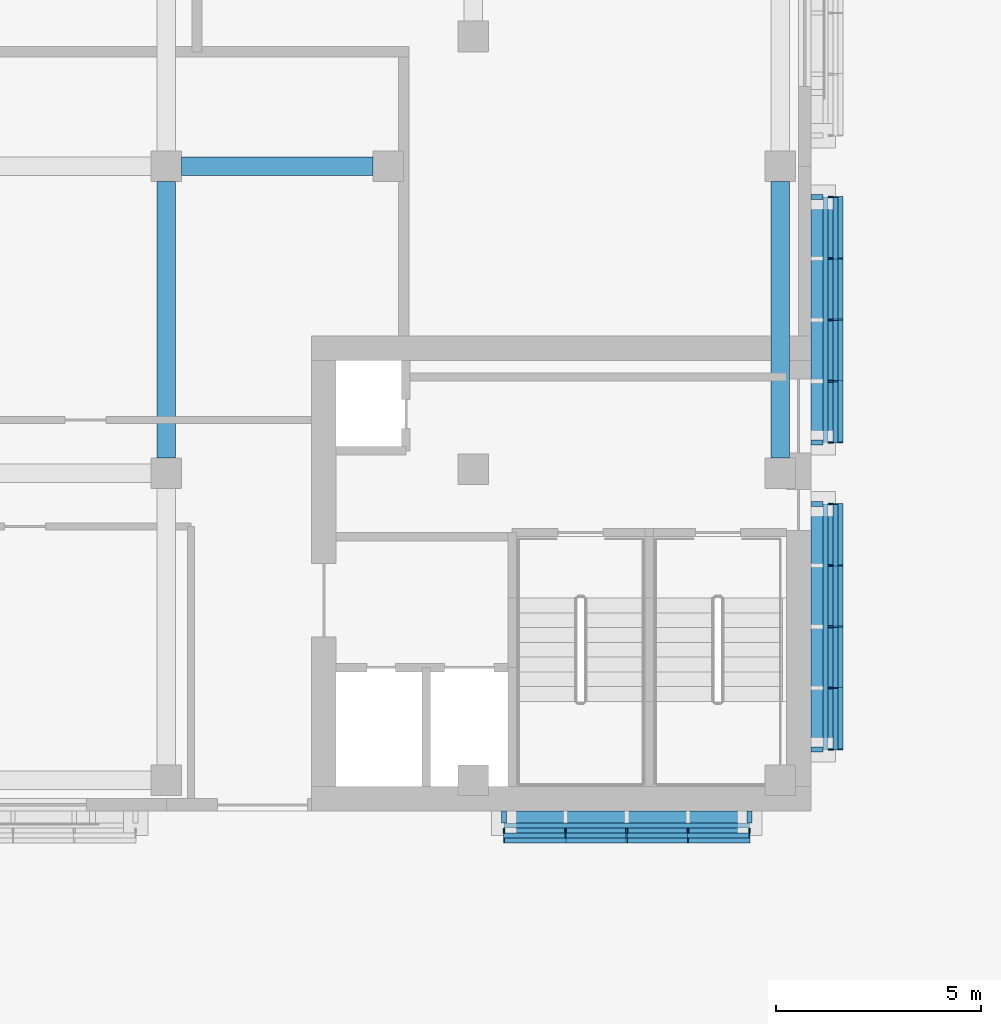
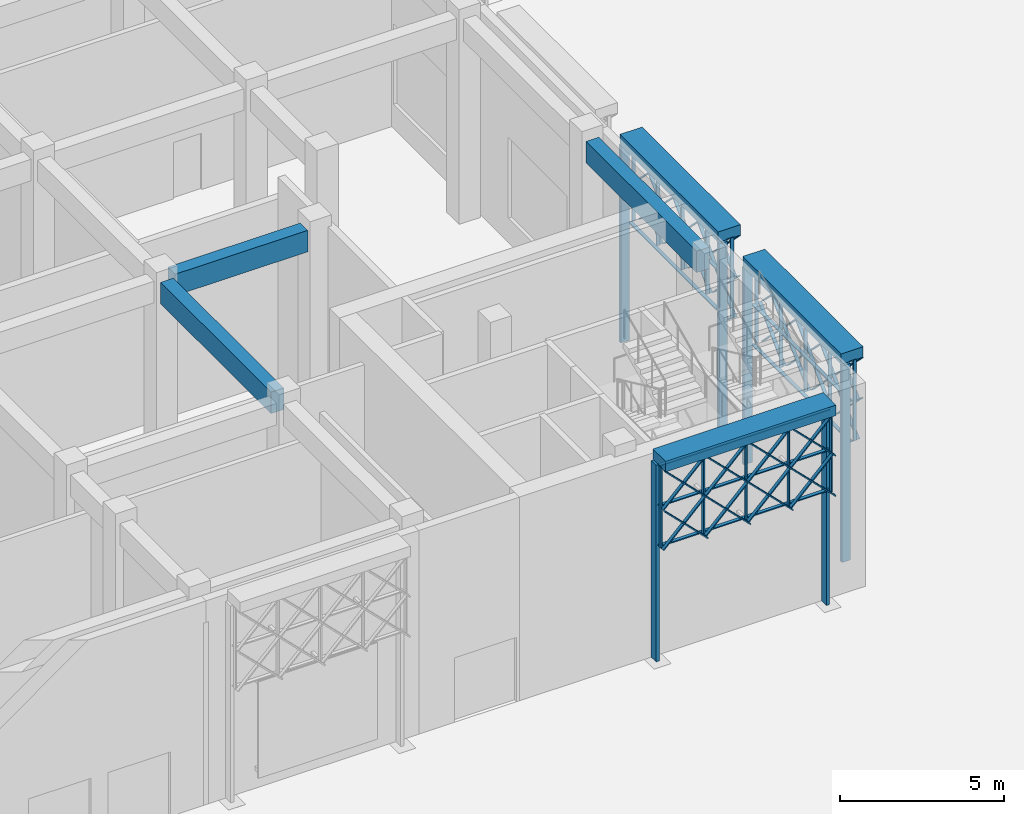
# One storey, part 5 of 64: 60 members, 6 beams.
"""IFC4 building model written with IfcOpenShell, lengths in metres."""

import ifcopenshell
import ifcopenshell.guid

model = None  # the IFC model being written
_history = None  # IfcOwnerHistory: only IFC2X3 demands one
_inside = {}  # id of a spatial element -> (the spatial element, [elements in it])
_under = {}  # id of a project, library or spatial element -> (it, [spatial elements below it])
_declared = {}  # id of a project -> (the project, [libraries it declares])
_typed = {}  # id of a type object -> (the type object, [elements of that type])
_made_of = {}  # id of a material, layer set ... -> (it, [elements and type objects made of it])


def new_model(schema):
    """Start an empty IFC model of exactly this schema.

    Asked for "IFC4X3", IfcOpenShell would pick the latest addendum, in which some entities
    have other attributes; the version numbers below select the first issue.
    IFC2X3 requires an IfcOwnerHistory on every rooted entity: one is made here for all.
    """
    global model, _history
    if schema == "IFC4X3":
        model = ifcopenshell.file(schema_version=(4, 3, 0, 0))
    else:
        model = ifcopenshell.file(schema=schema)
    _inside.clear()
    _under.clear()
    _declared.clear()
    _typed.clear()
    _made_of.clear()
    _history = None
    if model.schema == "IFC2X3":
        org = make("IfcOrganization", Name="unknown")
        user = make(
            "IfcPersonAndOrganization",
            ThePerson=make("IfcPerson", FamilyName="unknown"),
            TheOrganization=org,
        )
        app = make(
            "IfcApplication",
            ApplicationDeveloper=org,
            Version="unknown",
            ApplicationFullName="unknown",
            ApplicationIdentifier="unknown",
        )
        _history = make(
            "IfcOwnerHistory",
            OwningUser=user,
            OwningApplication=app,
            ChangeAction="ADDED",
            CreationDate=0,
        )
    return model


def make(cls, **values):
    """One entity of the class cls with the attributes given. An attribute that is None is left unset."""
    return model.create_entity(
        cls, **{name: value for name, value in values.items() if value is not None}
    )


def rooted(cls, **values):
    """An entity with a GlobalId (a new one), such as an element, a storey or a relation."""
    return make(cls, GlobalId=ifcopenshell.guid.new(), OwnerHistory=_history, **values)


def si_unit(unit_type, name, prefix=None):
    """IfcSIUnit, for example si_unit("LENGTHUNIT", "METRE", prefix="MILLI")."""
    return make("IfcSIUnit", UnitType=unit_type, Prefix=prefix, Name=name)


def assignment(units):
    """IfcUnitAssignment: the units of a project."""
    return None if units is None else make("IfcUnitAssignment", Units=units)


def point(xyz):
    """IfcCartesianPoint."""
    return None if xyz is None else make("IfcCartesianPoint", Coordinates=xyz)


def direction(xyz):
    """IfcDirection."""
    return None if xyz is None else make("IfcDirection", DirectionRatios=xyz)


def frame(location, z_axis=None, x_axis=None):
    """IfcAxis2Placement3D, a coordinate frame: its origin and axes. An axis left out is left unset."""
    return make(
        "IfcAxis2Placement3D",
        Location=point(location),
        Axis=direction(z_axis),
        RefDirection=direction(x_axis),
    )


def frame_2d(location, x_axis=None):
    """IfcAxis2Placement2D, a coordinate frame in the plane: its origin and x axis."""
    return make(
        "IfcAxis2Placement2D", Location=point(location), RefDirection=direction(x_axis)
    )


def origin():
    """The frame at (0, 0, 0) with its axes left unset."""
    return frame((0.0, 0.0, 0.0))


def origin_2d():
    """The frame at (0, 0) in the plane with its x axis left unset."""
    return frame_2d((0.0, 0.0))


def place(relative_to, where):
    """IfcLocalPlacement: puts the frame where relative to a parent placement (None: the world)."""
    return make(
        "IfcLocalPlacement", PlacementRelTo=relative_to, RelativePlacement=where
    )


def context(
    kind, dimensions, precision=None, world=None, true_north=None, identifier=None
):
    """IfcGeometricRepresentationContext, for example the 3D "Model" context."""
    return make(
        "IfcGeometricRepresentationContext",
        ContextIdentifier=identifier,
        ContextType=kind,
        CoordinateSpaceDimension=dimensions,
        Precision=precision,
        WorldCoordinateSystem=world,
        TrueNorth=true_north,
    )


def subcontext(parent, identifier, kind, view, scale=None):
    """IfcGeometricRepresentationSubContext, for example "Body" below "Model"."""
    return make(
        "IfcGeometricRepresentationSubContext",
        ContextIdentifier=identifier,
        ContextType=kind,
        ParentContext=parent,
        TargetScale=scale,
        TargetView=view,
    )


def project(units=None, contexts=None):
    """IfcProject with its units and contexts."""
    return rooted(
        "IfcProject",
        Name="project",
        RepresentationContexts=contexts,
        UnitsInContext=assignment(units),
    )


def spatial(cls, under=None, at=None, **own):
    """A site, building, storey or space (cls), placed at a placement, below another one or the project."""
    s = rooted(cls, ObjectPlacement=at, **own)
    if under is not None:
        _under.setdefault(under.id(), (under, []))[1].append(s)
    return s


def profile(cls, at=None, kind="AREA", **sizes):
    """A parametric profile (cls). Its sizes go by their IFC names, for example OverallWidth=200.0."""
    return make(cls, ProfileType=kind, Position=at, **sizes)


def rectangle(**sizes):
    """IfcRectangleProfileDef."""
    return profile("IfcRectangleProfileDef", **sizes)


def extrude(swept, where, along, depth):
    """IfcExtrudedAreaSolid: the profile swept, set in the frame where, extruded along a direction by depth."""
    return make(
        "IfcExtrudedAreaSolid",
        SweptArea=swept,
        Position=where,
        ExtrudedDirection=direction(along),
        Depth=depth,
    )


def shape(context_of_items, identifier, shape_type, items):
    """IfcShapeRepresentation: the items that make up one representation, for example the "Body"."""
    return make(
        "IfcShapeRepresentation",
        ContextOfItems=context_of_items,
        RepresentationIdentifier=identifier,
        RepresentationType=shape_type,
        Items=items,
    )


def material(Name=None, Category=None):
    """IfcMaterial."""
    return make("IfcMaterial", Name=Name, Category=Category)


def material_profile(
    of_material, cross_section, Name=None, Category=None, Priority=None
):
    """IfcMaterialProfile: a cross section and its material."""
    return make(
        "IfcMaterialProfile",
        Name=Name,
        Material=of_material,
        Profile=cross_section,
        Priority=Priority,
        Category=Category,
    )


def profile_set(profiles, Name=None, composite=None):
    """IfcMaterialProfileSet."""
    return make(
        "IfcMaterialProfileSet",
        Name=Name,
        MaterialProfiles=profiles,
        CompositeProfile=composite,
    )


def made_of(thing, what):
    """Note that an element or type object is made of a material, layer set ...; save() writes the relation."""
    if what is not None:
        _made_of.setdefault(what.id(), (what, []))[1].append(thing)
    return thing


def type_object(cls, material=None, **own):
    """A type object (cls), such as IfcWallType, which elements share."""
    return made_of(rooted(cls, **own), material)


def element(
    cls,
    number,
    at=None,
    inside=None,
    cuts=None,
    type_object=None,
    material=None,
    context=None,
    identifier="Body",
    shape_type=None,
    held_by="IfcProductDefinitionShape",
    body=None,
    shapes=None,
    **own,
):
    """One element of the class cls, such as IfcWall. Its Tag is "e" and its number.

    at: its placement. inside: the storey or other place that contains it. cuts: it is an
    opening in that element (IfcRelVoidsElement). A single representation is given by context,
    identifier, shape_type and body (its items); several are given by shapes. held_by: the class
    of the entity that holds the representations. save() writes the other relations.
    """
    e = rooted(cls, Tag="e%d" % number, ObjectPlacement=at, **own)
    if body is not None:
        shapes = [shape(context, identifier, shape_type, body)]
    if shapes is not None:
        e.Representation = make(held_by, Representations=shapes)
    if inside is not None:
        _inside.setdefault(inside.id(), (inside, []))[1].append(e)
    if cuts is not None:
        rooted(
            "IfcRelVoidsElement", RelatingBuildingElement=cuts, RelatedOpeningElement=e
        )
    if type_object is not None:
        _typed.setdefault(type_object.id(), (type_object, []))[1].append(e)
    return made_of(e, material)


def aggregate(whole, parts):
    """IfcRelAggregates: a whole, such as a stair, and the parts it consists of."""
    return rooted("IfcRelAggregates", RelatingObject=whole, RelatedObjects=parts)


def save(model, path):
    """Write the relations noted so far, then the file.

    IfcRelAggregates (storeys below a building ...), IfcRelContainedInSpatialStructure (elements
    in a storey), IfcRelDefinesByType, IfcRelAssociatesMaterial and IfcRelDeclares: one each for
    every whole, place, type object, material and project.
    """
    for whole, parts in _under.values():
        aggregate(whole, parts)
    for where, things in _inside.values():
        rooted(
            "IfcRelContainedInSpatialStructure",
            RelatedElements=things,
            RelatingStructure=where,
        )
    for kind, things in _typed.values():
        rooted("IfcRelDefinesByType", RelatedObjects=things, RelatingType=kind)
    for what, things in _made_of.values():
        rooted("IfcRelAssociatesMaterial", RelatedObjects=things, RelatingMaterial=what)
    for by, libraries in _declared.values():
        rooted("IfcRelDeclares", RelatingContext=by, RelatedDefinitions=libraries)
    model.write(path)


model = new_model("IFC4")

# Units and contexts
model_context = context("Model", 3, precision=1e-05, world=origin(), true_north=direction((0.0, 1.0)))
body_context = subcontext(model_context, "Body", "Model", "MODEL_VIEW")
ifc_project = project(units=[si_unit("LENGTHUNIT", "METRE"), si_unit("AREAUNIT", "SQUARE_METRE"), si_unit("VOLUMEUNIT", "CUBIC_METRE"), si_unit("PLANEANGLEUNIT", "RADIAN"), si_unit("MASSUNIT", "GRAM", prefix="KILO")], contexts=[model_context])

# Site, building, storey
site_placement = place(None, origin())
site = spatial("IfcSite", under=ifc_project, at=site_placement, CompositionType="ELEMENT")
building_placement = place(site_placement, origin())
building = spatial("IfcBuilding", under=site, at=building_placement, Name="Tessera Arch", CompositionType="ELEMENT")
storey_placement = place(building_placement, origin())
storey = spatial("IfcBuildingStorey", under=building, at=storey_placement, Name="L00", CompositionType="ELEMENT", Elevation=0.0)

# Members
ifc_material_1 = material(Name="Anodised aluminium gold", Category="aluminium")
ifc_material_profile_1 = material_profile(ifc_material_1, rectangle(XDim=0.1201171875, YDim=0.0400390625, at=origin_2d()), Name="AL 40x120")
ifc_profile_set_1 = profile_set([ifc_material_profile_1], Name="Anodised aluminium gold")
member_type_1 = type_object("IfcMemberType", Name="Mashrabiya lattice blade", PredefinedType="USERDEFINED", material=ifc_profile_set_1)
for number, where, z_axis, x_axis, name in (
    (1, (6.449951171875, -32.909912109375, 4.35009765625), (1.0, 0.0, 0.0), (0.0, 1.0, 0.0), "Lattice blade horizontal"),
    (2, (6.449951171875, -32.909912109375, 5.85009765625), (1.0, 0.0, 0.0), (0.0, 1.0, 0.0), "Lattice blade horizontal"),
    (3, (6.449951171875, -32.909912109375, 7.35009765625), (1.0, 0.0, 0.0), (0.0, 1.0, 0.0), "Lattice blade horizontal"),
):
    element("IfcMember", number, at=place(storey_placement, frame(where, z_axis=z_axis, x_axis=x_axis)), inside=storey, type_object=member_type_1, Name=name, ObjectType="FIN", PredefinedType="USERDEFINED", context=body_context, shape_type="SweptSolid", body=[
        extrude(rectangle(XDim=0.1201171875, YDim=0.0400390625, at=origin_2d()), origin(), (0.0, 0.0, 1.0), 6.0),
    ])
for number, where, z_axis, x_axis, name in (
    (4, (6.449951171875, -33.030029296875, 4.35009765625), (0.0, 0.0, 1.0), (0.0, -1.0, 0.0), "Lattice blade vertical"),
    (5, (7.949951171875, -33.030029296875, 4.35009765625), (0.0, 0.0, 1.0), (0.0, -1.0, 0.0), "Lattice blade vertical"),
    (6, (9.449951171875, -33.030029296875, 4.35009765625), (0.0, 0.0, 1.0), (0.0, -1.0, 0.0), "Lattice blade vertical"),
    (7, (10.949951171875, -33.030029296875, 4.35009765625), (0.0, 0.0, 1.0), (0.0, -1.0, 0.0), "Lattice blade vertical"),
    (8, (12.449951171875, -33.030029296875, 4.35009765625), (0.0, 0.0, 1.0), (0.0, -1.0, 0.0), "Lattice blade vertical"),
):
    element("IfcMember", number, at=place(storey_placement, frame(where, z_axis=z_axis, x_axis=x_axis)), inside=storey, type_object=member_type_1, Name=name, ObjectType="FIN", PredefinedType="USERDEFINED", context=body_context, shape_type="SweptSolid", body=[
        extrude(rectangle(XDim=0.1201171875, YDim=0.0400390625, at=origin_2d()), origin(), (0.0, 0.0, 1.0), 3.02001953125),
    ])
member_1_placement = place(storey_placement, frame((6.449951171875, -33.14990234375, 5.85009765625), z_axis=(0.707106781187, 0.0, 0.707106781187), x_axis=(0.0, 1.0, 0.0)))
element("IfcMember", 9, at=member_1_placement, inside=storey, type_object=member_type_1, Name="Lattice blade diagonal", ObjectType="FIN", PredefinedType="USERDEFINED", context=body_context, shape_type="SweptSolid", body=[
    extrude(rectangle(XDim=0.1201171875, YDim=0.0400390625, at=origin_2d()), origin(), (0.0, 0.0, 1.0), 2.121337890625),
])
for number, where, z_axis, x_axis, name in (
    (10, (6.449951171875, -33.14990234375, 4.35009765625), (0.707106781187, 0.0, 0.707106781187), (0.0, 1.0, 0.0), "Lattice blade diagonal"),
    (11, (7.949951171875, -33.14990234375, 4.35009765625), (0.707106781187, 0.0, 0.707106781187), (0.0, 1.0, 0.0), "Lattice blade diagonal"),
    (12, (9.449951171875, -33.14990234375, 4.35009765625), (0.707106781187, 0.0, 0.707106781187), (0.0, 1.0, 0.0), "Lattice blade diagonal"),
):
    element("IfcMember", number, at=place(storey_placement, frame(where, z_axis=z_axis, x_axis=x_axis)), inside=storey, type_object=member_type_1, Name=name, ObjectType="FIN", PredefinedType="USERDEFINED", context=body_context, shape_type="SweptSolid", body=[
        extrude(rectangle(XDim=0.1201171875, YDim=0.0400390625, at=origin_2d()), origin(), (0.0, 0.0, 1.0), 4.24267578125),
    ])
for number, where, z_axis, x_axis, name in (
    (13, (10.949951171875, -33.14990234375, 4.35009765625), (0.707106781187, 0.0, 0.707106781187), (0.0, 1.0, 0.0), "Lattice blade diagonal"),
    (14, (6.449951171875, -33.27001953125, 5.85009765625), (0.707106781187, 0.0, -0.707106781187), (0.0, 1.0, 0.0), "Lattice blade diagonal"),
):
    element("IfcMember", number, at=place(storey_placement, frame(where, z_axis=z_axis, x_axis=x_axis)), inside=storey, type_object=member_type_1, Name=name, ObjectType="FIN", PredefinedType="USERDEFINED", context=body_context, shape_type="SweptSolid", body=[
        extrude(rectangle(XDim=0.1201171875, YDim=0.0400390625, at=origin_2d()), origin(), (0.0, 0.0, 1.0), 2.121337890625),
    ])
for number, where, z_axis, x_axis, name in (
    (15, (6.449951171875, -33.27001953125, 7.35009765625), (0.707106781187, 0.0, -0.707106781187), (0.0, 1.0, 0.0), "Lattice blade diagonal"),
    (16, (7.949951171875, -33.27001953125, 7.35009765625), (0.707106781187, 0.0, -0.707106781187), (0.0, 1.0, 0.0), "Lattice blade diagonal"),
    (17, (9.449951171875, -33.27001953125, 7.35009765625), (0.707106781187, 0.0, -0.707106781187), (0.0, 1.0, 0.0), "Lattice blade diagonal"),
):
    element("IfcMember", number, at=place(storey_placement, frame(where, z_axis=z_axis, x_axis=x_axis)), inside=storey, type_object=member_type_1, Name=name, ObjectType="FIN", PredefinedType="USERDEFINED", context=body_context, shape_type="SweptSolid", body=[
        extrude(rectangle(XDim=0.1201171875, YDim=0.0400390625, at=origin_2d()), origin(), (0.0, 0.0, 1.0), 4.24267578125),
    ])
member_2_placement = place(storey_placement, frame((10.949951171875, -33.27001953125, 7.35009765625), z_axis=(0.707106781187, 0.0, -0.707106781187), x_axis=(0.0, 1.0, 0.0)))
element("IfcMember", 18, at=member_2_placement, inside=storey, type_object=member_type_1, Name="Lattice blade diagonal", ObjectType="FIN", PredefinedType="USERDEFINED", context=body_context, shape_type="SweptSolid", body=[
    extrude(rectangle(XDim=0.1201171875, YDim=0.0400390625, at=origin_2d()), origin(), (0.0, 0.0, 1.0), 2.121337890625),
])
for number, where, z_axis, x_axis, name in (
    (19, (14.31005859375, -31.050048828125, 4.35009765625), (0.0, 1.0, 0.0), (-1.0, 0.0, 0.0), "Lattice blade horizontal"),
    (20, (14.31005859375, -31.050048828125, 5.85009765625), (0.0, 1.0, 0.0), (-1.0, 0.0, 0.0), "Lattice blade horizontal"),
    (21, (14.31005859375, -31.050048828125, 7.35009765625), (0.0, 1.0, 0.0), (-1.0, 0.0, 0.0), "Lattice blade horizontal"),
):
    element("IfcMember", number, at=place(storey_placement, frame(where, z_axis=z_axis, x_axis=x_axis)), inside=storey, type_object=member_type_1, Name=name, ObjectType="FIN", PredefinedType="USERDEFINED", context=body_context, shape_type="SweptSolid", body=[
        extrude(rectangle(XDim=0.1201171875, YDim=0.0400390625, at=origin_2d()), origin(), (0.0, 0.0, 1.0), 6.0),
    ])
for number, where, z_axis, x_axis, name in (
    (22, (14.429931640625, -31.050048828125, 4.35009765625), (0.0, 0.0, 1.0), (1.0, 0.0, 0.0), "Lattice blade vertical"),
    (23, (14.429931640625, -29.550048828125, 4.35009765625), (0.0, 0.0, 1.0), (1.0, 0.0, 0.0), "Lattice blade vertical"),
    (24, (14.429931640625, -28.050048828125, 4.35009765625), (0.0, 0.0, 1.0), (1.0, 0.0, 0.0), "Lattice blade vertical"),
    (25, (14.429931640625, -26.550048828125, 4.35009765625), (0.0, 0.0, 1.0), (1.0, 0.0, 0.0), "Lattice blade vertical"),
    (26, (14.429931640625, -25.050048828125, 4.35009765625), (0.0, 0.0, 1.0), (1.0, 0.0, 0.0), "Lattice blade vertical"),
):
    element("IfcMember", number, at=place(storey_placement, frame(where, z_axis=z_axis, x_axis=x_axis)), inside=storey, type_object=member_type_1, Name=name, ObjectType="FIN", PredefinedType="USERDEFINED", context=body_context, shape_type="SweptSolid", body=[
        extrude(rectangle(XDim=0.1201171875, YDim=0.0400390625, at=origin_2d()), origin(), (0.0, 0.0, 1.0), 3.02001953125),
    ])
member_3_placement = place(storey_placement, frame((14.550048828125, -31.050048828125, 5.85009765625), z_axis=(0.0, 0.707106781187, 0.707106781187), x_axis=(-1.0, 0.0, 0.0)))
element("IfcMember", 27, at=member_3_placement, inside=storey, type_object=member_type_1, Name="Lattice blade diagonal", ObjectType="FIN", PredefinedType="USERDEFINED", context=body_context, shape_type="SweptSolid", body=[
    extrude(rectangle(XDim=0.1201171875, YDim=0.0400390625, at=origin_2d()), origin(), (0.0, 0.0, 1.0), 2.121337890625),
])
for number, where, z_axis, x_axis, name in (
    (28, (14.550048828125, -31.050048828125, 4.35009765625), (0.0, 0.707106781187, 0.707106781187), (-1.0, 0.0, 0.0), "Lattice blade diagonal"),
    (29, (14.550048828125, -29.550048828125, 4.35009765625), (0.0, 0.707106781187, 0.707106781187), (-1.0, 0.0, 0.0), "Lattice blade diagonal"),
    (30, (14.550048828125, -28.050048828125, 4.35009765625), (0.0, 0.707106781187, 0.707106781187), (-1.0, 0.0, 0.0), "Lattice blade diagonal"),
):
    element("IfcMember", number, at=place(storey_placement, frame(where, z_axis=z_axis, x_axis=x_axis)), inside=storey, type_object=member_type_1, Name=name, ObjectType="FIN", PredefinedType="USERDEFINED", context=body_context, shape_type="SweptSolid", body=[
        extrude(rectangle(XDim=0.1201171875, YDim=0.0400390625, at=origin_2d()), origin(), (0.0, 0.0, 1.0), 4.24267578125),
    ])
for number, where, z_axis, x_axis, name in (
    (31, (14.550048828125, -26.550048828125, 4.35009765625), (0.0, 0.707106781187, 0.707106781187), (-1.0, 0.0, 0.0), "Lattice blade diagonal"),
    (32, (14.669921875, -31.050048828125, 5.85009765625), (0.0, 0.707106781187, -0.707106781187), (-1.0, 0.0, 0.0), "Lattice blade diagonal"),
):
    element("IfcMember", number, at=place(storey_placement, frame(where, z_axis=z_axis, x_axis=x_axis)), inside=storey, type_object=member_type_1, Name=name, ObjectType="FIN", PredefinedType="USERDEFINED", context=body_context, shape_type="SweptSolid", body=[
        extrude(rectangle(XDim=0.1201171875, YDim=0.0400390625, at=origin_2d()), origin(), (0.0, 0.0, 1.0), 2.121337890625),
    ])
for number, where, z_axis, x_axis, name in (
    (33, (14.669921875, -31.050048828125, 7.35009765625), (0.0, 0.707106781187, -0.707106781187), (-1.0, 0.0, 0.0), "Lattice blade diagonal"),
    (34, (14.669921875, -29.550048828125, 7.35009765625), (0.0, 0.707106781187, -0.707106781187), (-1.0, 0.0, 0.0), "Lattice blade diagonal"),
    (35, (14.669921875, -28.050048828125, 7.35009765625), (0.0, 0.707106781187, -0.707106781187), (-1.0, 0.0, 0.0), "Lattice blade diagonal"),
):
    element("IfcMember", number, at=place(storey_placement, frame(where, z_axis=z_axis, x_axis=x_axis)), inside=storey, type_object=member_type_1, Name=name, ObjectType="FIN", PredefinedType="USERDEFINED", context=body_context, shape_type="SweptSolid", body=[
        extrude(rectangle(XDim=0.1201171875, YDim=0.0400390625, at=origin_2d()), origin(), (0.0, 0.0, 1.0), 4.24267578125),
    ])
member_4_placement = place(storey_placement, frame((14.669921875, -26.550048828125, 7.35009765625), z_axis=(0.0, 0.707106781187, -0.707106781187), x_axis=(-1.0, 0.0, 0.0)))
element("IfcMember", 36, at=member_4_placement, inside=storey, type_object=member_type_1, Name="Lattice blade diagonal", ObjectType="FIN", PredefinedType="USERDEFINED", context=body_context, shape_type="SweptSolid", body=[
    extrude(rectangle(XDim=0.1201171875, YDim=0.0400390625, at=origin_2d()), origin(), (0.0, 0.0, 1.0), 2.121337890625),
])
for number, where, z_axis, x_axis, name in (
    (37, (14.31005859375, -23.550048828125, 4.35009765625), (0.0, 1.0, 0.0), (-1.0, 0.0, 0.0), "Lattice blade horizontal"),
    (38, (14.31005859375, -23.550048828125, 5.85009765625), (0.0, 1.0, 0.0), (-1.0, 0.0, 0.0), "Lattice blade horizontal"),
    (39, (14.31005859375, -23.550048828125, 7.35009765625), (0.0, 1.0, 0.0), (-1.0, 0.0, 0.0), "Lattice blade horizontal"),
):
    element("IfcMember", number, at=place(storey_placement, frame(where, z_axis=z_axis, x_axis=x_axis)), inside=storey, type_object=member_type_1, Name=name, ObjectType="FIN", PredefinedType="USERDEFINED", context=body_context, shape_type="SweptSolid", body=[
        extrude(rectangle(XDim=0.1201171875, YDim=0.0400390625, at=origin_2d()), origin(), (0.0, 0.0, 1.0), 6.0),
    ])
for number, where, z_axis, x_axis, name in (
    (40, (14.429931640625, -23.550048828125, 4.35009765625), (0.0, 0.0, 1.0), (1.0, 0.0, 0.0), "Lattice blade vertical"),
    (41, (14.429931640625, -22.050048828125, 4.35009765625), (0.0, 0.0, 1.0), (1.0, 0.0, 0.0), "Lattice blade vertical"),
    (42, (14.429931640625, -20.550048828125, 4.35009765625), (0.0, 0.0, 1.0), (1.0, 0.0, 0.0), "Lattice blade vertical"),
    (43, (14.429931640625, -19.050048828125, 4.35009765625), (0.0, 0.0, 1.0), (1.0, 0.0, 0.0), "Lattice blade vertical"),
    (44, (14.429931640625, -17.550048828125, 4.35009765625), (0.0, 0.0, 1.0), (1.0, 0.0, 0.0), "Lattice blade vertical"),
):
    element("IfcMember", number, at=place(storey_placement, frame(where, z_axis=z_axis, x_axis=x_axis)), inside=storey, type_object=member_type_1, Name=name, ObjectType="FIN", PredefinedType="USERDEFINED", context=body_context, shape_type="SweptSolid", body=[
        extrude(rectangle(XDim=0.1201171875, YDim=0.0400390625, at=origin_2d()), origin(), (0.0, 0.0, 1.0), 3.02001953125),
    ])
member_5_placement = place(storey_placement, frame((14.550048828125, -23.550048828125, 5.85009765625), z_axis=(0.0, 0.707106781187, 0.707106781187), x_axis=(-1.0, 0.0, 0.0)))
element("IfcMember", 45, at=member_5_placement, inside=storey, type_object=member_type_1, Name="Lattice blade diagonal", ObjectType="FIN", PredefinedType="USERDEFINED", context=body_context, shape_type="SweptSolid", body=[
    extrude(rectangle(XDim=0.1201171875, YDim=0.0400390625, at=origin_2d()), origin(), (0.0, 0.0, 1.0), 2.121337890625),
])
for number, where, z_axis, x_axis, name in (
    (46, (14.550048828125, -23.550048828125, 4.35009765625), (0.0, 0.707106781187, 0.707106781187), (-1.0, 0.0, 0.0), "Lattice blade diagonal"),
    (47, (14.550048828125, -22.050048828125, 4.35009765625), (0.0, 0.707106781187, 0.707106781187), (-1.0, 0.0, 0.0), "Lattice blade diagonal"),
    (48, (14.550048828125, -20.550048828125, 4.35009765625), (0.0, 0.707106781187, 0.707106781187), (-1.0, 0.0, 0.0), "Lattice blade diagonal"),
):
    element("IfcMember", number, at=place(storey_placement, frame(where, z_axis=z_axis, x_axis=x_axis)), inside=storey, type_object=member_type_1, Name=name, ObjectType="FIN", PredefinedType="USERDEFINED", context=body_context, shape_type="SweptSolid", body=[
        extrude(rectangle(XDim=0.1201171875, YDim=0.0400390625, at=origin_2d()), origin(), (0.0, 0.0, 1.0), 4.24267578125),
    ])
for number, where, z_axis, x_axis, name in (
    (49, (14.550048828125, -19.050048828125, 4.35009765625), (0.0, 0.707106781187, 0.707106781187), (-1.0, 0.0, 0.0), "Lattice blade diagonal"),
    (50, (14.669921875, -23.550048828125, 5.85009765625), (0.0, 0.707106781187, -0.707106781187), (-1.0, 0.0, 0.0), "Lattice blade diagonal"),
):
    element("IfcMember", number, at=place(storey_placement, frame(where, z_axis=z_axis, x_axis=x_axis)), inside=storey, type_object=member_type_1, Name=name, ObjectType="FIN", PredefinedType="USERDEFINED", context=body_context, shape_type="SweptSolid", body=[
        extrude(rectangle(XDim=0.1201171875, YDim=0.0400390625, at=origin_2d()), origin(), (0.0, 0.0, 1.0), 2.121337890625),
    ])
for number, where, z_axis, x_axis, name in (
    (51, (14.669921875, -23.550048828125, 7.35009765625), (0.0, 0.707106781187, -0.707106781187), (-1.0, 0.0, 0.0), "Lattice blade diagonal"),
    (52, (14.669921875, -22.050048828125, 7.35009765625), (0.0, 0.707106781187, -0.707106781187), (-1.0, 0.0, 0.0), "Lattice blade diagonal"),
    (53, (14.669921875, -20.550048828125, 7.35009765625), (0.0, 0.707106781187, -0.707106781187), (-1.0, 0.0, 0.0), "Lattice blade diagonal"),
):
    element("IfcMember", number, at=place(storey_placement, frame(where, z_axis=z_axis, x_axis=x_axis)), inside=storey, type_object=member_type_1, Name=name, ObjectType="FIN", PredefinedType="USERDEFINED", context=body_context, shape_type="SweptSolid", body=[
        extrude(rectangle(XDim=0.1201171875, YDim=0.0400390625, at=origin_2d()), origin(), (0.0, 0.0, 1.0), 4.24267578125),
    ])
member_6_placement = place(storey_placement, frame((14.669921875, -19.050048828125, 7.35009765625), z_axis=(0.0, 0.707106781187, -0.707106781187), x_axis=(-1.0, 0.0, 0.0)))
element("IfcMember", 54, at=member_6_placement, inside=storey, type_object=member_type_1, Name="Lattice blade diagonal", ObjectType="FIN", PredefinedType="USERDEFINED", context=body_context, shape_type="SweptSolid", body=[
    extrude(rectangle(XDim=0.1201171875, YDim=0.0400390625, at=origin_2d()), origin(), (0.0, 0.0, 1.0), 2.121337890625),
])

# Beams
ifc_material_2 = material(Name="Concrete C40/50", Category="concrete")
ifc_material_profile_2 = material_profile(ifc_material_2, rectangle(XDim=0.449951171875, YDim=0.800048828125, at=origin_2d()), Name="Museum beam 450 x 800 Concrete C40/50")
ifc_profile_set_2 = profile_set([ifc_material_profile_2], Name="Concrete C40/50")
beam_type_1 = type_object("IfcBeamType", Name="Museum beam 450 x 800 Concrete C40/50", PredefinedType="BEAM", material=ifc_profile_set_2)
for number, where, z_axis, x_axis, name in (
    (55, (-1.800048828125, -23.925048828125, 7.18994140625), (0.0, 1.0, 0.0), (-1.0, 0.0, 0.0), "Museum beam L00 35"),
    (56, (13.199951171875, -23.925048828125, 7.18994140625), (0.0, 1.0, 0.0), (-1.0, 0.0, 0.0), "Museum beam L00 48"),
):
    element("IfcBeam", number, at=place(storey_placement, frame(where, z_axis=z_axis, x_axis=x_axis)), inside=storey, type_object=beam_type_1, Name=name, PredefinedType="BEAM", context=body_context, shape_type="SweptSolid", body=[
        extrude(rectangle(XDim=0.449951171875, YDim=0.800048828125, at=origin_2d()), origin(), (0.0, 0.0, 1.0), 6.75),
    ])
beam_placement = place(storey_placement, frame((-1.425048828125, -16.800048828125, 7.18994140625), z_axis=(1.0, 0.0, 0.0), x_axis=(0.0, 1.0, 0.0)))
element("IfcBeam", 57, at=beam_placement, inside=storey, type_object=beam_type_1, Name="Museum beam L00 56", PredefinedType="BEAM", context=body_context, shape_type="SweptSolid", body=[
    extrude(rectangle(XDim=0.449951171875, YDim=0.800048828125, at=origin_2d()), origin(), (0.0, 0.0, 1.0), 4.675048828125),
])
ifc_material_3 = material(Name="Aluminium alloy 6063-T6", Category="aluminium")
ifc_material_profile_3 = material_profile(ifc_material_3, rectangle(XDim=0.780029296875, YDim=0.389892578125, at=origin_2d()), Name="AL 780x390")
ifc_profile_set_3 = profile_set([ifc_material_profile_3], Name="Aluminium alloy 6063-T6")
beam_type_2 = type_object("IfcBeamType", Name="Screen head beam", PredefinedType="BEAM", material=ifc_profile_set_3)
for number, where, z_axis, x_axis, name in (
    (58, (6.449951171875, -32.93994140625, 7.544921875), (1.0, 0.0, 0.0), (0.0, 1.0, 0.0), "Screen head beam"),
    (59, (14.340087890625, -31.050048828125, 7.544921875), (0.0, 1.0, 0.0), (-1.0, 0.0, 0.0), "Screen head beam"),
    (60, (14.340087890625, -23.550048828125, 7.544921875), (0.0, 1.0, 0.0), (-1.0, 0.0, 0.0), "Screen head beam"),
):
    element("IfcBeam", number, at=place(storey_placement, frame(where, z_axis=z_axis, x_axis=x_axis)), inside=storey, type_object=beam_type_2, Name=name, PredefinedType="BEAM", context=body_context, shape_type="SweptSolid", body=[
        extrude(rectangle(XDim=0.780029296875, YDim=0.389892578125, at=origin_2d()), origin(), (0.0, 0.0, 1.0), 6.0),
    ])

# Members
ifc_material_4 = material(Name="Aluminium alloy 6063-T6", Category="aluminium")
ifc_material_profile_4 = material_profile(ifc_material_4, rectangle(XDim=0.300048828125, YDim=0.1201171875, at=origin_2d()), Name="AL 120x300")
ifc_profile_set_4 = profile_set([ifc_material_profile_4], Name="Aluminium alloy 6063-T6")
member_type_2 = type_object("IfcMemberType", Name="Screen post", PredefinedType="POST", material=ifc_profile_set_4)
for number, where, z_axis, x_axis, name in (
    (61, (6.449951171875, -32.699951171875, 0.0), (0.0, 0.0, 1.0), (0.0, -1.0, 0.0), "Screen post"),
    (62, (12.449951171875, -32.699951171875, 0.0), (0.0, 0.0, 1.0), (0.0, -1.0, 0.0), "Screen post"),
    (63, (14.10009765625, -31.050048828125, 0.0), (0.0, 0.0, 1.0), (1.0, 0.0, 0.0), "Screen post"),
    (64, (14.10009765625, -25.050048828125, 0.0), (0.0, 0.0, 1.0), (1.0, 0.0, 0.0), "Screen post"),
    (65, (14.10009765625, -23.550048828125, 0.0), (0.0, 0.0, 1.0), (1.0, 0.0, 0.0), "Screen post"),
    (66, (14.10009765625, -17.550048828125, 0.0), (0.0, 0.0, 1.0), (1.0, 0.0, 0.0), "Screen post"),
):
    element("IfcMember", number, at=place(storey_placement, frame(where, z_axis=z_axis, x_axis=x_axis)), inside=storey, type_object=member_type_2, Name=name, PredefinedType="POST", context=body_context, shape_type="SweptSolid", body=[
        extrude(rectangle(XDim=0.300048828125, YDim=0.1201171875, at=origin_2d()), origin(), (0.0, 0.0, 1.0), 7.330078125),
    ])

save(model, "model.ifc")
